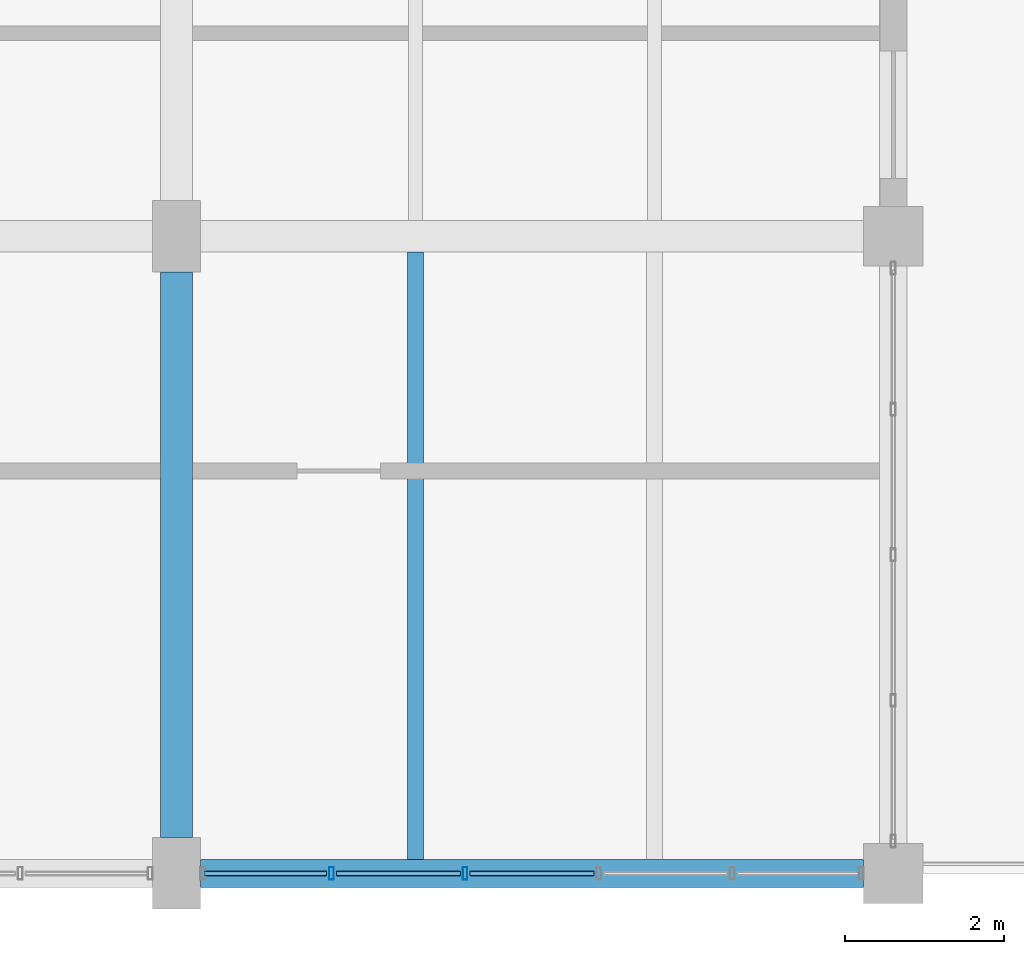
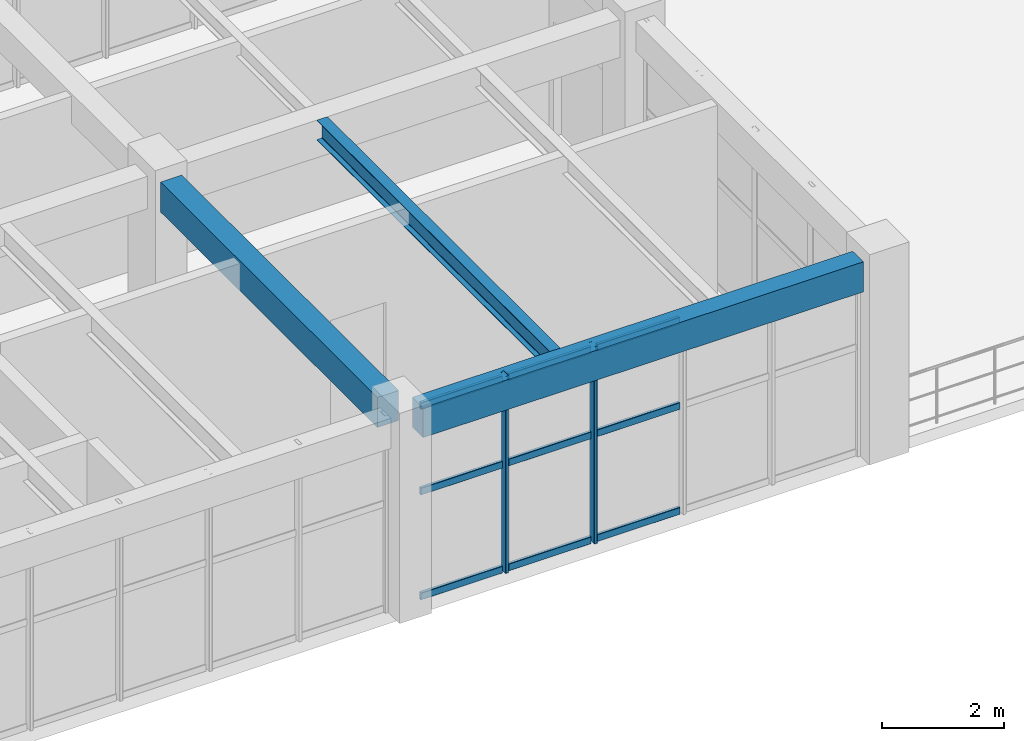
# One storey, part 14 of 148: 11 members, 3 beams, 1 element without a shape of its own.
"""IFC4 building model written with IfcOpenShell, lengths in metres."""

from ifc_helpers import new_model, si_unit, derived_unit, direction, frame, origin, origin_2d, place, context, subcontext, project, spatial, rectangle, hollow_rectangle, i_section, extrude, material, material_profile, profile_set, type_object, element, aggregate, save


model = new_model("IFC4")

# Units and contexts
model_context = context("Model", 3, precision=1e-05, world=origin(), true_north=direction((0.0, 1.0)))
body_context = subcontext(model_context, "Body", "Model", "MODEL_VIEW")
ifc_project = project(units=[si_unit("LENGTHUNIT", "METRE"), si_unit("AREAUNIT", "SQUARE_METRE"), si_unit("VOLUMEUNIT", "CUBIC_METRE"), si_unit("PLANEANGLEUNIT", "RADIAN"), si_unit("MASSUNIT", "GRAM", prefix="KILO"), derived_unit("THERMALTRANSMITTANCEUNIT", [(si_unit("MASSUNIT", "GRAM", prefix="KILO"), 1), (si_unit("TIMEUNIT", "SECOND"), -3), (si_unit("THERMODYNAMICTEMPERATUREUNIT", "KELVIN"), -1)])], contexts=[model_context])

# Site, building, storey
site_placement = place(None, origin())
site = spatial("IfcSite", under=ifc_project, at=site_placement, CompositionType="ELEMENT")
building_placement = place(site_placement, origin())
building = spatial("IfcBuilding", under=site, at=building_placement, Name="Zhenchuan Archway Interchange", CompositionType="ELEMENT")
storey_placement = place(building_placement, frame((0.0, 0.0, 10.199951171875)))
storey = spatial("IfcBuildingStorey", under=building, at=storey_placement, Name="L02", CompositionType="ELEMENT", Elevation=10.199951171875)

# Beam
ifc_material_1 = material(Name="Concrete C40", Category="concrete")
ifc_material_profile_1 = material_profile(ifc_material_1, rectangle(XDim=0.39990234375, YDim=0.60009765625, at=origin_2d()), Name="RC 400x600")
ifc_profile_set_1 = profile_set([ifc_material_profile_1], Name="Concrete C40")
beam_type_1 = type_object("IfcBeamType", Name="BM_RC_400x600", PredefinedType="BEAM", material=ifc_profile_set_1)
beam_1_placement = place(storey_placement, frame((27.0, 0.449951171875, 3.64013671875), z_axis=(0.0, 1.0, 0.0), x_axis=(-1.0, 0.0, 0.0)))
element("IfcBeam", 1, at=beam_1_placement, inside=storey, type_object=beam_type_1, Name="Beam 4:A-B (L02)", PredefinedType="BEAM", context=body_context, shape_type="SweptSolid", body=[
    extrude(rectangle(XDim=0.39990234375, YDim=0.60009765625, at=origin_2d()), origin(), (0.0, 0.0, 1.0), 7.10009765625),
])

# Curtain wall, members
ifc_material_2 = material(Name="Anodised Aluminium", Category="aluminium")
curtain_wall_type = type_object("IfcCurtainWallType", Name="CW_UNIT_2", PredefinedType="NOTDEFINED", material=ifc_material_2)
curtain_wall_placement = place(storey_placement, origin())
curtain_wall = element("IfcCurtainWall", 2, at=curtain_wall_placement, inside=storey, type_object=curtain_wall_type, Name="Unitised curtain wall CW:L02:105", PredefinedType="NOTDEFINED")
ifc_material_profile_2 = material_profile(ifc_material_2, hollow_rectangle(XDim=0.06005859375, YDim=0.159912109375, WallThickness=0.00390625, InnerFilletRadius=0.00390625, OuterFilletRadius=0.008056640625, at=origin_2d()), Name="ALU 160x60x4")
ifc_profile_set_2 = profile_set([ifc_material_profile_2], Name="Anodised Aluminium")
member_type_1 = type_object("IfcMemberType", Name="CW_MUL_150", PredefinedType="MULLION", material=ifc_profile_set_2)
member_1_placement = place(storey_placement, frame((30.62353515625, 0.0, 0.0), z_axis=(0.0, 0.0, 1.0), x_axis=(1.0, 0.0, 0.0)))
member_1 = element("IfcMember", 3, at=member_1_placement, type_object=member_type_1, Name="CW:L02:105 mullion 3", PredefinedType="MULLION", context=body_context, shape_type="SweptSolid", body=[
    extrude(hollow_rectangle(XDim=0.06005859375, YDim=0.159912109375, WallThickness=0.00390625, InnerFilletRadius=0.00390625, OuterFilletRadius=0.008056640625, at=origin_2d()), origin(), (0.0, 0.0, 1.0), 3.93994140625),
])
member_2_placement = place(storey_placement, frame((28.94580078125, 0.0, 0.0), z_axis=(0.0, 0.0, 1.0), x_axis=(1.0, 0.0, 0.0)))
member_2 = element("IfcMember", 4, at=member_2_placement, type_object=member_type_1, Name="CW:L02:105 mullion 4", PredefinedType="MULLION", context=body_context, shape_type="SweptSolid", body=[
    extrude(hollow_rectangle(XDim=0.06005859375, YDim=0.159912109375, WallThickness=0.00390625, InnerFilletRadius=0.00390625, OuterFilletRadius=0.008056640625, at=origin_2d()), origin(), (0.0, 0.0, 1.0), 3.93994140625),
])
ifc_material_profile_3 = material_profile(ifc_material_2, hollow_rectangle(XDim=0.06005859375, YDim=0.139892578125, WallThickness=0.00341796875, InnerFilletRadius=0.00341796875, OuterFilletRadius=0.007080078125, at=origin_2d()), Name="ALU 140x60x3.5")
ifc_profile_set_3 = profile_set([ifc_material_profile_3], Name="Anodised Aluminium")
member_type_2 = type_object("IfcMemberType", Name="CW_TRN_140", PredefinedType="USERDEFINED", material=ifc_profile_set_3)
member_3_placement = place(storey_placement, frame((32.241455078125, 0.0, 0.06005859375), z_axis=(-1.0, 0.0, 0.0), x_axis=(0.0, -1.0, 0.0)))
member_3 = element("IfcMember", 5, at=member_3_placement, type_object=member_type_2, Name="CW:L02:105 transom 2-1", ObjectType="TRANSOM", PredefinedType="USERDEFINED", context=body_context, shape_type="SweptSolid", body=[
    extrude(hollow_rectangle(XDim=0.06005859375, YDim=0.139892578125, WallThickness=0.00341796875, InnerFilletRadius=0.00341796875, OuterFilletRadius=0.007080078125, at=origin_2d()), origin(), (0.0, 0.0, 1.0), 1.557861328125),
])
member_4_placement = place(storey_placement, frame((32.241455078125, 0.0, 2.156005859375), z_axis=(-1.0, 0.0, 0.0), x_axis=(0.0, -1.0, 0.0)))
member_4 = element("IfcMember", 6, at=member_4_placement, type_object=member_type_2, Name="CW:L02:105 transom 2-2", ObjectType="TRANSOM", PredefinedType="USERDEFINED", context=body_context, shape_type="SweptSolid", body=[
    extrude(hollow_rectangle(XDim=0.06005859375, YDim=0.139892578125, WallThickness=0.00341796875, InnerFilletRadius=0.00341796875, OuterFilletRadius=0.007080078125, at=origin_2d()), origin(), (0.0, 0.0, 1.0), 1.557861328125),
])
member_5_placement = place(storey_placement, frame((32.241455078125, 0.0, 3.860107421875), z_axis=(-1.0, 0.0, 0.0), x_axis=(0.0, -1.0, 0.0)))
member_5 = element("IfcMember", 7, at=member_5_placement, type_object=member_type_2, Name="CW:L02:105 transom 2-3", ObjectType="TRANSOM", PredefinedType="USERDEFINED", context=body_context, shape_type="SweptSolid", body=[
    extrude(hollow_rectangle(XDim=0.06005859375, YDim=0.139892578125, WallThickness=0.00341796875, InnerFilletRadius=0.00341796875, OuterFilletRadius=0.007080078125, at=origin_2d()), origin(), (0.0, 0.0, 1.0), 1.557861328125),
])
member_6_placement = place(storey_placement, frame((30.563720703125, 0.0, 0.06005859375), z_axis=(-1.0, 0.0, 0.0), x_axis=(0.0, -1.0, 0.0)))
member_6 = element("IfcMember", 8, at=member_6_placement, type_object=member_type_2, Name="CW:L02:105 transom 3-1", ObjectType="TRANSOM", PredefinedType="USERDEFINED", context=body_context, shape_type="SweptSolid", body=[
    extrude(hollow_rectangle(XDim=0.06005859375, YDim=0.139892578125, WallThickness=0.00341796875, InnerFilletRadius=0.00341796875, OuterFilletRadius=0.007080078125, at=origin_2d()), origin(), (0.0, 0.0, 1.0), 1.557861328125),
])
member_7_placement = place(storey_placement, frame((30.563720703125, 0.0, 2.156005859375), z_axis=(-1.0, 0.0, 0.0), x_axis=(0.0, -1.0, 0.0)))
member_7 = element("IfcMember", 9, at=member_7_placement, type_object=member_type_2, Name="CW:L02:105 transom 3-2", ObjectType="TRANSOM", PredefinedType="USERDEFINED", context=body_context, shape_type="SweptSolid", body=[
    extrude(hollow_rectangle(XDim=0.06005859375, YDim=0.139892578125, WallThickness=0.00341796875, InnerFilletRadius=0.00341796875, OuterFilletRadius=0.007080078125, at=origin_2d()), origin(), (0.0, 0.0, 1.0), 1.557861328125),
])
member_8_placement = place(storey_placement, frame((30.563720703125, 0.0, 3.860107421875), z_axis=(-1.0, 0.0, 0.0), x_axis=(0.0, -1.0, 0.0)))
member_8 = element("IfcMember", 10, at=member_8_placement, type_object=member_type_2, Name="CW:L02:105 transom 3-3", ObjectType="TRANSOM", PredefinedType="USERDEFINED", context=body_context, shape_type="SweptSolid", body=[
    extrude(hollow_rectangle(XDim=0.06005859375, YDim=0.139892578125, WallThickness=0.00341796875, InnerFilletRadius=0.00341796875, OuterFilletRadius=0.007080078125, at=origin_2d()), origin(), (0.0, 0.0, 1.0), 1.557861328125),
])
member_9_placement = place(storey_placement, frame((28.8857421875, 0.0, 0.06005859375), z_axis=(-1.0, 0.0, 0.0), x_axis=(0.0, -1.0, 0.0)))
member_9 = element("IfcMember", 11, at=member_9_placement, type_object=member_type_2, Name="CW:L02:105 transom 4-1", ObjectType="TRANSOM", PredefinedType="USERDEFINED", context=body_context, shape_type="SweptSolid", body=[
    extrude(hollow_rectangle(XDim=0.06005859375, YDim=0.139892578125, WallThickness=0.00341796875, InnerFilletRadius=0.00341796875, OuterFilletRadius=0.007080078125, at=origin_2d()), origin(), (0.0, 0.0, 1.0), 1.537841796875),
])
member_10_placement = place(storey_placement, frame((28.8857421875, 0.0, 2.156005859375), z_axis=(-1.0, 0.0, 0.0), x_axis=(0.0, -1.0, 0.0)))
member_10 = element("IfcMember", 12, at=member_10_placement, type_object=member_type_2, Name="CW:L02:105 transom 4-2", ObjectType="TRANSOM", PredefinedType="USERDEFINED", context=body_context, shape_type="SweptSolid", body=[
    extrude(hollow_rectangle(XDim=0.06005859375, YDim=0.139892578125, WallThickness=0.00341796875, InnerFilletRadius=0.00341796875, OuterFilletRadius=0.007080078125, at=origin_2d()), origin(), (0.0, 0.0, 1.0), 1.537841796875),
])
member_11_placement = place(storey_placement, frame((28.8857421875, 0.0, 3.860107421875), z_axis=(-1.0, 0.0, 0.0), x_axis=(0.0, -1.0, 0.0)))
member_11 = element("IfcMember", 13, at=member_11_placement, type_object=member_type_2, Name="CW:L02:105 transom 4-3", ObjectType="TRANSOM", PredefinedType="USERDEFINED", context=body_context, shape_type="SweptSolid", body=[
    extrude(hollow_rectangle(XDim=0.06005859375, YDim=0.139892578125, WallThickness=0.00341796875, InnerFilletRadius=0.00341796875, OuterFilletRadius=0.007080078125, at=origin_2d()), origin(), (0.0, 0.0, 1.0), 1.537841796875),
])
aggregate(curtain_wall, [member_1, member_2, member_3, member_4, member_5, member_6, member_7, member_8, member_9, member_10, member_11])

# Beams
ifc_material_3 = material(Name="Steel Q355", Category="steel")
ifc_material_profile_4 = material_profile(ifc_material_3, i_section(OverallWidth=0.199951171875, OverallDepth=0.39990234375, WebThickness=0.008056640625, FlangeThickness=0.012939453125, FilletRadius=0.01611328125, at=origin_2d()), Name="HN 400x200")
ifc_profile_set_4 = profile_set([ifc_material_profile_4], Name="Steel Q355")
beam_type_2 = type_object("IfcBeamType", Name="JST_STL_HN400", PredefinedType="JOIST", material=ifc_profile_set_4)
beam_2_placement = place(storey_placement, frame((30.0, 0.175048828125, 3.739990234375), z_axis=(0.0, 1.0, 0.0), x_axis=(-1.0, 0.0, 0.0)))
element("IfcBeam", 14, at=beam_2_placement, inside=storey, type_object=beam_type_2, Name="Secondary joist 4-5/A-B #1 (L02)", PredefinedType="JOIST", context=body_context, shape_type="SweptSolid", body=[
    extrude(i_section(OverallWidth=0.199951171875, OverallDepth=0.39990234375, WebThickness=0.008056640625, FlangeThickness=0.012939453125, FilletRadius=0.01611328125, at=origin_2d()), origin(), (0.0, 0.0, 1.0), 7.625),
])
ifc_material_profile_5 = material_profile(ifc_material_1, rectangle(XDim=0.35009765625, YDim=0.60009765625, at=origin_2d()), Name="RC 350x600")
ifc_profile_set_5 = profile_set([ifc_material_profile_5], Name="Concrete C40")
beam_type_3 = type_object("IfcBeamType", Name="SP_RC_350x600", PredefinedType="SPANDREL", material=ifc_profile_set_5)
beam_3_placement = place(storey_placement, frame((27.300048828125, 0.0, 3.64013671875), z_axis=(1.0, 0.0, 0.0), x_axis=(0.0, 1.0, 0.0)))
element("IfcBeam", 15, at=beam_3_placement, inside=storey, type_object=beam_type_3, Name="Beam A:4-5 (L02)", PredefinedType="SPANDREL", context=body_context, shape_type="SweptSolid", body=[
    extrude(rectangle(XDim=0.35009765625, YDim=0.60009765625, at=origin_2d()), origin(), (0.0, 0.0, 1.0), 8.324951171875),
])

save(model, "model.ifc")
